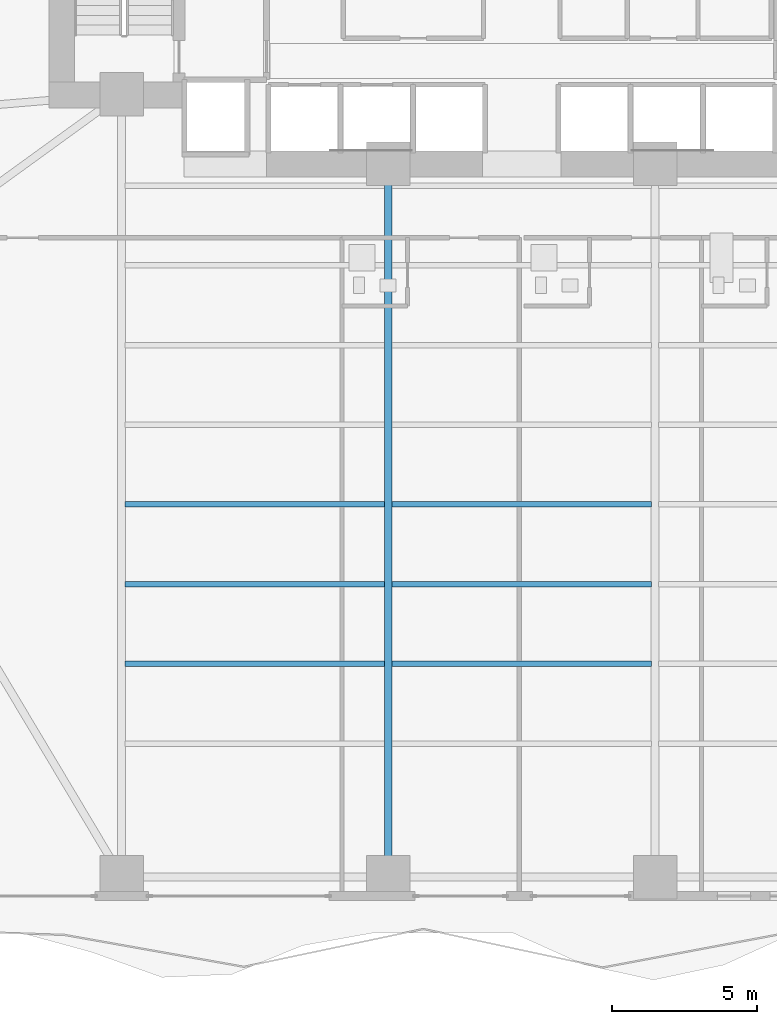
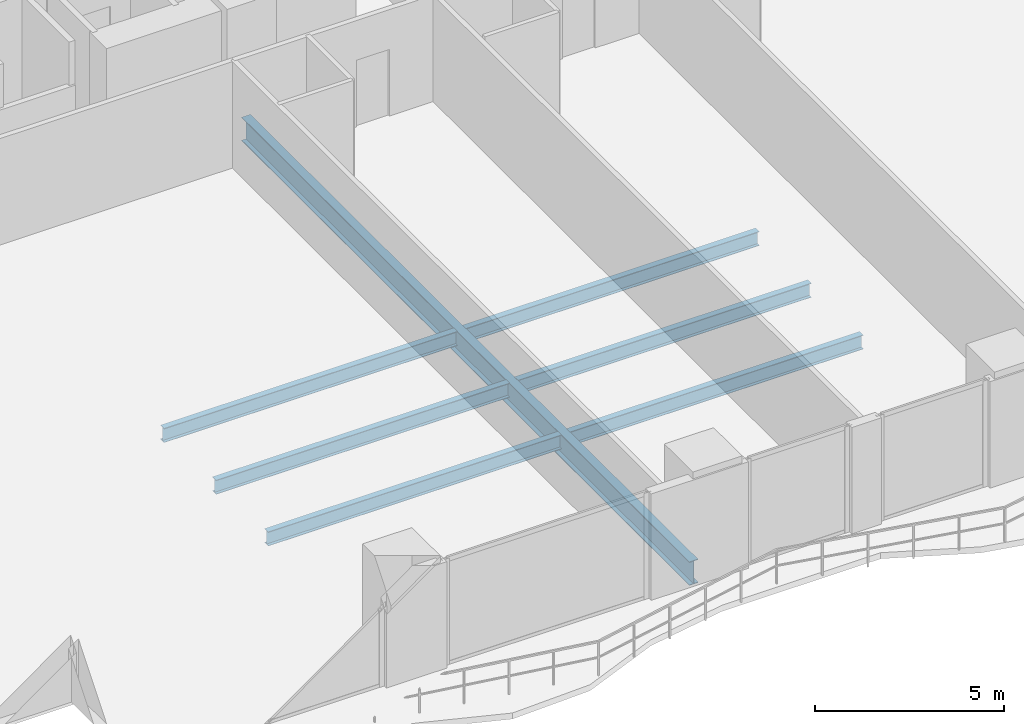
# One storey, part 5 of 30: 7 beams.
"""IFC4 building model written with IfcOpenShell, lengths in metres."""

from ifc_helpers import new_model, si_unit, direction, frame, origin, origin_2d, place, context, subcontext, project, spatial, i_section, extrude, material, material_profile, profile_set, type_object, element, save


model = new_model("IFC4")

# Units and contexts
model_context = context("Model", 3, precision=1e-05, world=origin(), true_north=direction((0.0, 1.0)))
body_context = subcontext(model_context, "Body", "Model", "MODEL_VIEW")
ifc_project = project(units=[si_unit("LENGTHUNIT", "METRE"), si_unit("AREAUNIT", "SQUARE_METRE"), si_unit("VOLUMEUNIT", "CUBIC_METRE"), si_unit("PLANEANGLEUNIT", "RADIAN"), si_unit("MASSUNIT", "GRAM", prefix="KILO")], contexts=[model_context])

# Site, building, storey
site_placement = place(None, origin())
site = spatial("IfcSite", under=ifc_project, at=site_placement, CompositionType="ELEMENT")
building_placement = place(site_placement, origin())
building = spatial("IfcBuilding", under=site, at=building_placement, Name="Zuhayl Quay Hotel", CompositionType="ELEMENT")
storey_placement = place(building_placement, frame((0.0, 0.0, 82.35009765625)))
storey = spatial("IfcBuildingStorey", under=building, at=storey_placement, Name="L20", CompositionType="ELEMENT", Elevation=82.35009765625)

# Beams
ifc_material = material(Name="Steel ASTM A992 Grade 50", Category="steel")
ifc_material_profile_1 = material_profile(ifc_material, i_section(OverallWidth=0.26708984375, OverallDepth=0.761962890625, WebThickness=0.014404296875, FlangeThickness=0.021484375, at=origin_2d()), Name="W30X116")
ifc_profile_set_1 = profile_set([ifc_material_profile_1], Name="Steel ASTM A992 Grade 50")
beam_type_1 = type_object("IfcBeamType", Name="BM_B1_W30X116", PredefinedType="BEAM", material=ifc_profile_set_1)
beam_1_placement = place(storey_placement, frame((-4.60009765625, -21.949951171875, -0.60107421875), z_axis=(0.0, 1.0, 0.0), x_axis=(-1.0, 0.0, 0.0)))
element("IfcBeam", 1, at=beam_1_placement, inside=storey, type_object=beam_type_1, Name="L20 Floor Beam FG_S_L20_2", PredefinedType="BEAM", context=body_context, shape_type="SweptSolid", body=[
    extrude(i_section(OverallWidth=0.26708984375, OverallDepth=0.761962890625, WebThickness=0.014404296875, FlangeThickness=0.021484375, at=origin_2d()), origin(), (0.0, 0.0, 1.0), 23.64990234375),
])
ifc_material_profile_2 = material_profile(ifc_material, i_section(OverallWidth=0.18994140625, OverallDepth=0.45703125, WebThickness=0.009033203125, FlangeThickness=0.014404296875, at=origin_2d()), Name="W18X50")
ifc_profile_set_2 = profile_set([ifc_material_profile_2], Name="Steel ASTM A992 Grade 50")
beam_type_2 = type_object("IfcBeamType", Name="BM_J2_W18X50", PredefinedType="JOIST", material=ifc_profile_set_2)
beam_2_placement = place(storey_placement, frame((-13.674560546875, -15.10009765625, -0.448486328125), z_axis=(1.0, 0.0, 0.0), x_axis=(0.0, 1.0, 0.0)))
element("IfcBeam", 2, at=beam_2_placement, inside=storey, type_object=beam_type_2, Name="L20 Floor Beam FJ_L20_4_1", PredefinedType="JOIST", context=body_context, shape_type="SweptSolid", body=[
    extrude(i_section(OverallWidth=0.18994140625, OverallDepth=0.45703125, WebThickness=0.009033203125, FlangeThickness=0.014404296875, at=origin_2d()), origin(), (0.0, 0.0, 1.0), 8.948974609375),
])
beam_3_placement = place(storey_placement, frame((-4.474609375, -15.10009765625, -0.448486328125), z_axis=(1.0, 0.0, 0.0), x_axis=(0.0, 1.0, 0.0)))
element("IfcBeam", 3, at=beam_3_placement, inside=storey, type_object=beam_type_2, Name="L20 Floor Beam FJ_L20_4_2", PredefinedType="JOIST", context=body_context, shape_type="SweptSolid", body=[
    extrude(i_section(OverallWidth=0.18994140625, OverallDepth=0.45703125, WebThickness=0.009033203125, FlangeThickness=0.014404296875, at=origin_2d()), origin(), (0.0, 0.0, 1.0), 8.94921875),
])
beam_4_placement = place(storey_placement, frame((-13.674560546875, -12.35009765625, -0.448486328125), z_axis=(1.0, 0.0, 0.0), x_axis=(0.0, 1.0, 0.0)))
element("IfcBeam", 4, at=beam_4_placement, inside=storey, type_object=beam_type_2, Name="L20 Floor Beam FJ_L20_5_1", PredefinedType="JOIST", context=body_context, shape_type="SweptSolid", body=[
    extrude(i_section(OverallWidth=0.18994140625, OverallDepth=0.45703125, WebThickness=0.009033203125, FlangeThickness=0.014404296875, at=origin_2d()), origin(), (0.0, 0.0, 1.0), 8.948974609375),
])
beam_5_placement = place(storey_placement, frame((-4.474609375, -12.35009765625, -0.448486328125), z_axis=(1.0, 0.0, 0.0), x_axis=(0.0, 1.0, 0.0)))
element("IfcBeam", 5, at=beam_5_placement, inside=storey, type_object=beam_type_2, Name="L20 Floor Beam FJ_L20_5_2", PredefinedType="JOIST", context=body_context, shape_type="SweptSolid", body=[
    extrude(i_section(OverallWidth=0.18994140625, OverallDepth=0.45703125, WebThickness=0.009033203125, FlangeThickness=0.014404296875, at=origin_2d()), origin(), (0.0, 0.0, 1.0), 8.94921875),
])
beam_6_placement = place(storey_placement, frame((-13.674560546875, -9.60009765625, -0.448486328125), z_axis=(1.0, 0.0, 0.0), x_axis=(0.0, 1.0, 0.0)))
element("IfcBeam", 6, at=beam_6_placement, inside=storey, type_object=beam_type_2, Name="L20 Floor Beam FJ_L20_6_1", PredefinedType="JOIST", context=body_context, shape_type="SweptSolid", body=[
    extrude(i_section(OverallWidth=0.18994140625, OverallDepth=0.45703125, WebThickness=0.009033203125, FlangeThickness=0.014404296875, at=origin_2d()), origin(), (0.0, 0.0, 1.0), 8.948974609375),
])
beam_7_placement = place(storey_placement, frame((-4.474609375, -9.60009765625, -0.448486328125), z_axis=(1.0, 0.0, 0.0), x_axis=(0.0, 1.0, 0.0)))
element("IfcBeam", 7, at=beam_7_placement, inside=storey, type_object=beam_type_2, Name="L20 Floor Beam FJ_L20_6_2", PredefinedType="JOIST", context=body_context, shape_type="SweptSolid", body=[
    extrude(i_section(OverallWidth=0.18994140625, OverallDepth=0.45703125, WebThickness=0.009033203125, FlangeThickness=0.014404296875, at=origin_2d()), origin(), (0.0, 0.0, 1.0), 8.94921875),
])

save(model, "model.ifc")
